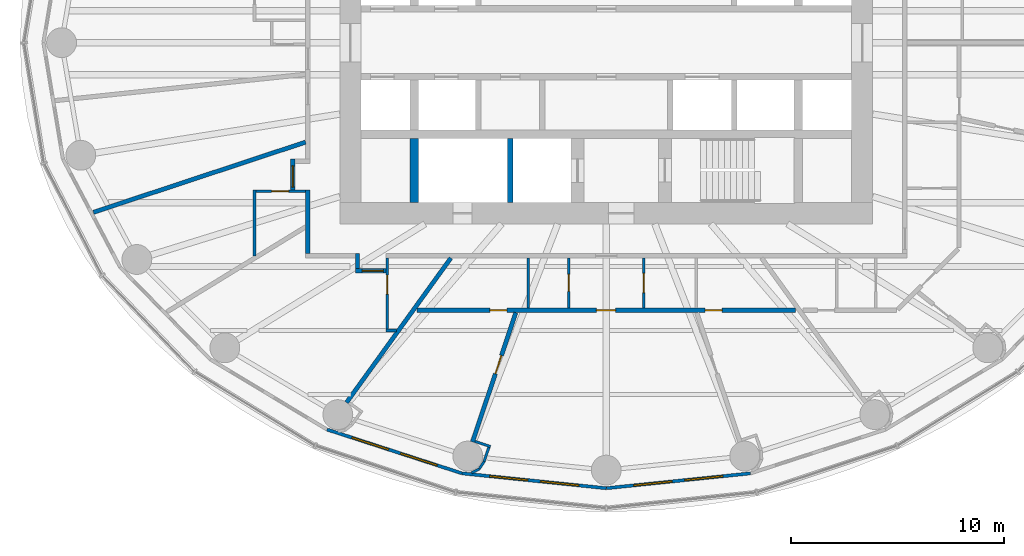
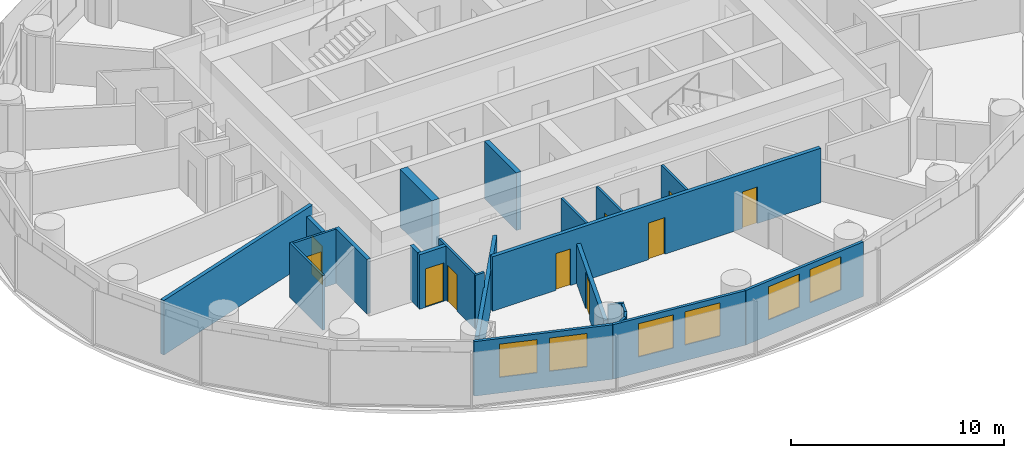
# One storey, part 6 of 14: 24 walls, 10 doors, 6 windows, 16 openings.
"""IFC4 building model written with IfcOpenShell, lengths in metres."""

from ifc_helpers import new_model, si_unit, direction, frame, frame_2d, origin, place, context, subcontext, project, spatial, rectangle, extrude, material, layer, layer_set, type_object, element, fill, save


model = new_model("IFC4")

# Units and contexts
model_context = context("Model", 3, precision=1e-05, world=origin(), true_north=direction((0.0, 1.0)))
body_context = subcontext(model_context, "Body", "Model", "MODEL_VIEW")
ifc_project = project(units=[si_unit("LENGTHUNIT", "METRE"), si_unit("AREAUNIT", "SQUARE_METRE"), si_unit("VOLUMEUNIT", "CUBIC_METRE"), si_unit("PLANEANGLEUNIT", "RADIAN"), si_unit("MASSUNIT", "GRAM", prefix="KILO")], contexts=[model_context])

# Site, building, storey
site_placement = place(None, origin())
site = spatial("IfcSite", under=ifc_project, at=site_placement, CompositionType="ELEMENT")
building_placement = place(site_placement, origin())
building = spatial("IfcBuilding", under=site, at=building_placement, Name="Hankou Lantern Tower", CompositionType="ELEMENT")
storey_placement = place(building_placement, frame((0.0, 0.0, 87.0)))
storey = spatial("IfcBuildingStorey", under=building, at=storey_placement, Name="L22", CompositionType="ELEMENT", Elevation=87.0)

# Wall
ifc_material_1 = material(Name="Concrete C60", Category="concrete")
ifc_layer_1 = layer(ifc_material_1, 0.39990234375)
ifc_layer_set_1 = layer_set([ifc_layer_1], Name="Concrete C60")
wall_type_1 = type_object("IfcWallType", Name="CW4 CORE CROSS WALL 400", PredefinedType="SHEAR", material=ifc_layer_set_1)
wall_1_placement = place(storey_placement, frame((-9.0, -7.5, 0.0), z_axis=(0.0, 0.0, 1.0), x_axis=(0.0, 1.0, 0.0)))
element("IfcWall", 1, at=wall_1_placement, inside=storey, type_object=wall_type_1, Name="Core strip wall L22", PredefinedType="SHEAR", context=body_context, shape_type="SweptSolid", body=[
    extrude(rectangle(XDim=3.0, YDim=0.39990234375, at=frame_2d((1.5, 0.0))), origin(), (0.0, 0.0, 1.0), 3.300048828125),
])

# Wall, openings, windows
ifc_material_2 = material(Name="Aluminium spandrel panel on steel studs", Category="steel")
ifc_layer_2 = layer(ifc_material_2, 0.14990234375)
ifc_layer_set_2 = layer_set([ifc_layer_2], Name="Aluminium spandrel panel on steel studs")
wall_type_2 = type_object("IfcWallType", Name="EW1 INNER SKIN WALL 150", PredefinedType="ELEMENTEDWALL", material=ifc_layer_set_2)
wall_2_placement = place(storey_placement, frame((-13.096435546875, -18.14697265625, 0.0), z_axis=(0.0, 0.0, 1.0), x_axis=(0.951137534625, -0.308767534285, 0.0)))
wall_2 = element("IfcWall", 2, at=wall_2_placement, inside=storey, type_object=wall_type_2, Name="Inner skin R17-R18 L22", PredefinedType="ELEMENTEDWALL", context=body_context, shape_type="SweptSolid", body=[
    extrude(rectangle(XDim=6.6552734375, YDim=0.14990234375, at=frame_2d((3.32763671875, 0.0))), origin(), (0.0, 0.0, 1.0), 3.1201171875),
])
opening_1_placement = place(wall_2_placement, frame((1.2275390625, 0.0, 0.89990234375)))
opening_1 = element("IfcOpeningElement", 3, at=opening_1_placement, cuts=wall_2, Name="Opening W1", PredefinedType="OPENING", context=body_context, shape_type="SweptSolid", body=[
    extrude(rectangle(XDim=1.800048828125, YDim=1.89990234375, at=frame_2d((0.89990234375, 0.949951171875))), frame((0.0, 0.0849609375, 0.0), z_axis=(0.0, -1.0, 0.0), x_axis=(1.0, 0.0, 0.0)), (0.0, 0.0, 1.0), 0.169921875),
])
opening_2_placement = place(wall_2_placement, frame((3.627685546875, 0.0, 0.89990234375)))
opening_2 = element("IfcOpeningElement", 4, at=opening_2_placement, cuts=wall_2, Name="Opening W1", PredefinedType="OPENING", context=body_context, shape_type="SweptSolid", body=[
    extrude(rectangle(XDim=1.800048828125, YDim=1.89990234375, at=frame_2d((0.89990234375, 0.949951171875))), frame((0.0, 0.0849609375, 0.0), z_axis=(0.0, -1.0, 0.0), x_axis=(1.0, 0.0, 0.0)), (0.0, 0.0, 1.0), 0.169921875),
])
ifc_material_3 = material(Name="Aluminium framed double glazed window", Category="aluminium")
window_type = type_object("IfcWindowType", Name="W1 GUEST ROOM WINDOW 1800X1900", PartitioningType="DOUBLE_PANEL_VERTICAL", PredefinedType="WINDOW", material=ifc_material_3)
window_1_placement = place(opening_1_placement, origin())
window_1 = element("IfcWindow", 5, at=window_1_placement, inside=storey, type_object=window_type, Name="Window R17.1 L22", OverallHeight=1.89990234375, OverallWidth=1.800048828125, PartitioningType="SINGLE_PANEL", PredefinedType="WINDOW", context=body_context, shape_type="SweptSolid", body=[
    extrude(rectangle(XDim=1.800048828125, YDim=1.89990234375, at=frame_2d((0.89990234375, 0.949951171875))), frame((0.0, 0.030029296875, 0.0), z_axis=(0.0, -1.0, 0.0), x_axis=(1.0, 0.0, 0.0)), (0.0, 0.0, 1.0), 0.06005859375),
])
fill(opening_1, window_1)
window_2_placement = place(opening_2_placement, origin())
window_2 = element("IfcWindow", 6, at=window_2_placement, inside=storey, type_object=window_type, Name="Window R17.2 L22", OverallHeight=1.89990234375, OverallWidth=1.800048828125, PartitioningType="SINGLE_PANEL", PredefinedType="WINDOW", context=body_context, shape_type="SweptSolid", body=[
    extrude(rectangle(XDim=1.800048828125, YDim=1.89990234375, at=frame_2d((0.89990234375, 0.949951171875))), frame((0.0, 0.030029296875, 0.0), z_axis=(0.0, -1.0, 0.0), x_axis=(1.0, 0.0, 0.0)), (0.0, 0.0, 1.0), 0.06005859375),
])
fill(opening_2, window_2)

wall_3_placement = place(storey_placement, frame((-6.766357421875, -20.201904296875, 0.0), z_axis=(0.0, 0.0, 1.0), x_axis=(0.994721394369, -0.102612609291, 0.0)))
wall_3 = element("IfcWall", 7, at=wall_3_placement, inside=storey, type_object=wall_type_2, Name="Inner skin R18-R19 L22", PredefinedType="ELEMENTEDWALL", context=body_context, shape_type="SweptSolid", body=[
    extrude(rectangle(XDim=6.80224609375, YDim=0.14990234375, at=frame_2d((3.401123046875, 0.0))), origin(), (0.0, 0.0, 1.0), 3.1201171875),
])
opening_3_placement = place(wall_3_placement, frame((1.301025390625, 0.0, 0.89990234375)))
opening_3 = element("IfcOpeningElement", 8, at=opening_3_placement, cuts=wall_3, Name="Opening W1", PredefinedType="OPENING", context=body_context, shape_type="SweptSolid", body=[
    extrude(rectangle(XDim=1.800048828125, YDim=1.89990234375, at=frame_2d((0.89990234375, 0.949951171875))), frame((0.0, 0.0849609375, 0.0), z_axis=(0.0, -1.0, 0.0), x_axis=(1.0, 0.0, 0.0)), (0.0, 0.0, 1.0), 0.169921875),
])
opening_4_placement = place(wall_3_placement, frame((3.701171875, 0.0, 0.89990234375)))
opening_4 = element("IfcOpeningElement", 9, at=opening_4_placement, cuts=wall_3, Name="Opening W1", PredefinedType="OPENING", context=body_context, shape_type="SweptSolid", body=[
    extrude(rectangle(XDim=1.800048828125, YDim=1.89990234375, at=frame_2d((0.89990234375, 0.949951171875))), frame((0.0, 0.0849609375, 0.0), z_axis=(0.0, -1.0, 0.0), x_axis=(1.0, 0.0, 0.0)), (0.0, 0.0, 1.0), 0.169921875),
])
window_3_placement = place(opening_3_placement, origin())
window_3 = element("IfcWindow", 10, at=window_3_placement, inside=storey, type_object=window_type, Name="Window R18.1 L22", OverallHeight=1.89990234375, OverallWidth=1.800048828125, PartitioningType="SINGLE_PANEL", PredefinedType="WINDOW", context=body_context, shape_type="SweptSolid", body=[
    extrude(rectangle(XDim=1.800048828125, YDim=1.89990234375, at=frame_2d((0.89990234375, 0.949951171875))), frame((0.0, 0.030029296875, 0.0), z_axis=(0.0, -1.0, 0.0), x_axis=(1.0, 0.0, 0.0)), (0.0, 0.0, 1.0), 0.06005859375),
])
fill(opening_3, window_3)
window_4_placement = place(opening_4_placement, origin())
window_4 = element("IfcWindow", 11, at=window_4_placement, inside=storey, type_object=window_type, Name="Window R18.2 L22", OverallHeight=1.89990234375, OverallWidth=1.800048828125, PartitioningType="SINGLE_PANEL", PredefinedType="WINDOW", context=body_context, shape_type="SweptSolid", body=[
    extrude(rectangle(XDim=1.800048828125, YDim=1.89990234375, at=frame_2d((0.89990234375, 0.949951171875))), frame((0.0, 0.030029296875, 0.0), z_axis=(0.0, -1.0, 0.0), x_axis=(1.0, 0.0, 0.0)), (0.0, 0.0, 1.0), 0.06005859375),
])
fill(opening_4, window_4)

wall_4_placement = place(storey_placement, frame((0.0, -20.89990234375, 0.0), z_axis=(0.0, 0.0, 1.0), x_axis=(0.994721394369, 0.102612609291, 0.0)))
wall_4 = element("IfcWall", 12, at=wall_4_placement, inside=storey, type_object=wall_type_2, Name="Inner skin R19-R20 L22", PredefinedType="ELEMENTEDWALL", context=body_context, shape_type="SweptSolid", body=[
    extrude(rectangle(XDim=6.80224609375, YDim=0.14990234375, at=frame_2d((3.401123046875, 0.0))), origin(), (0.0, 0.0, 1.0), 3.1201171875),
])
opening_5_placement = place(wall_4_placement, frame((1.301025390625, 0.0, 0.89990234375)))
opening_5 = element("IfcOpeningElement", 13, at=opening_5_placement, cuts=wall_4, Name="Opening W1", PredefinedType="OPENING", context=body_context, shape_type="SweptSolid", body=[
    extrude(rectangle(XDim=1.800048828125, YDim=1.89990234375, at=frame_2d((0.89990234375, 0.949951171875))), frame((0.0, 0.0849609375, 0.0), z_axis=(0.0, -1.0, 0.0), x_axis=(1.0, 0.0, 0.0)), (0.0, 0.0, 1.0), 0.169921875),
])
opening_6_placement = place(wall_4_placement, frame((3.701171875, 0.0, 0.89990234375)))
opening_6 = element("IfcOpeningElement", 14, at=opening_6_placement, cuts=wall_4, Name="Opening W1", PredefinedType="OPENING", context=body_context, shape_type="SweptSolid", body=[
    extrude(rectangle(XDim=1.800048828125, YDim=1.89990234375, at=frame_2d((0.89990234375, 0.949951171875))), frame((0.0, 0.0849609375, 0.0), z_axis=(0.0, -1.0, 0.0), x_axis=(1.0, 0.0, 0.0)), (0.0, 0.0, 1.0), 0.169921875),
])
window_5_placement = place(opening_5_placement, origin())
window_5 = element("IfcWindow", 15, at=window_5_placement, inside=storey, type_object=window_type, Name="Window R19.1 L22", OverallHeight=1.89990234375, OverallWidth=1.800048828125, PartitioningType="SINGLE_PANEL", PredefinedType="WINDOW", context=body_context, shape_type="SweptSolid", body=[
    extrude(rectangle(XDim=1.800048828125, YDim=1.89990234375, at=frame_2d((0.89990234375, 0.949951171875))), frame((0.0, 0.030029296875, 0.0), z_axis=(0.0, -1.0, 0.0), x_axis=(1.0, 0.0, 0.0)), (0.0, 0.0, 1.0), 0.06005859375),
])
fill(opening_5, window_5)
window_6_placement = place(opening_6_placement, origin())
window_6 = element("IfcWindow", 16, at=window_6_placement, inside=storey, type_object=window_type, Name="Window R19.2 L22", OverallHeight=1.89990234375, OverallWidth=1.800048828125, PartitioningType="SINGLE_PANEL", PredefinedType="WINDOW", context=body_context, shape_type="SweptSolid", body=[
    extrude(rectangle(XDim=1.800048828125, YDim=1.89990234375, at=frame_2d((0.89990234375, 0.949951171875))), frame((0.0, 0.030029296875, 0.0), z_axis=(0.0, -1.0, 0.0), x_axis=(1.0, 0.0, 0.0)), (0.0, 0.0, 1.0), 0.06005859375),
])
fill(opening_6, window_6)

# Wall
ifc_material_4 = material(Name="Masonry lightweight concrete block", Category="masonry")
ifc_layer_3 = layer(ifc_material_4, 0.199951171875)
ifc_layer_set_3 = layer_set([ifc_layer_3], Name="Masonry lightweight concrete block")
wall_type_3 = type_object("IfcWallType", Name="IW1 GUEST ROOM PARTY WALL 200", PredefinedType="PARTITIONING", material=ifc_layer_set_3)
wall_5_placement = place(storey_placement, frame((-7.2890625, -10.10009765625, 0.0), z_axis=(0.0, 0.0, 1.0), x_axis=(-0.585198353053, -0.810890182197, 0.0)))
element("IfcWall", 17, at=wall_5_placement, inside=storey, type_object=wall_type_3, Name="Party wall R17", PredefinedType="PARTITIONING", context=body_context, shape_type="SweptSolid", body=[
    extrude(rectangle(XDim=8.359619140625, YDim=0.199951171875, at=frame_2d((4.1796875, 0.0))), origin(), (0.0, 0.0, 1.0), 2.27001953125),
])

# Wall, opening, door
ifc_material_5 = material(Name="Masonry lightweight concrete block", Category="masonry")
ifc_layer_4 = layer(ifc_material_5, 0.199951171875)
ifc_layer_set_4 = layer_set([ifc_layer_4], Name="Masonry lightweight concrete block")
wall_type_4 = type_object("IfcWallType", Name="IW2 CORRIDOR WALL 200", PredefinedType="PARTITIONING", material=ifc_layer_set_4)
wall_6_placement = place(storey_placement, frame((-14.699951171875, -5.458984375, 0.0), z_axis=(0.0, 0.0, 1.0), x_axis=(0.0, -1.0, 0.0)))
wall_6 = element("IfcWall", 18, at=wall_6_placement, inside=storey, type_object=wall_type_4, Name="Corridor recess wall 2204 back", PredefinedType="PARTITIONING", context=body_context, shape_type="SweptSolid", body=[
    extrude(rectangle(XDim=1.43994140625, YDim=0.199951171875, at=frame_2d((0.719970703125, 0.0))), origin(), (0.0, 0.0, 1.0), 3.1201171875),
])
opening_7_placement = place(wall_6_placement, frame((0.320068359375, 0.0, 0.0)))
opening_7 = element("IfcOpeningElement", 19, at=opening_7_placement, cuts=wall_6, Name="Opening D1", PredefinedType="OPENING", context=body_context, shape_type="SweptSolid", body=[
    extrude(rectangle(XDim=1.0, YDim=2.199951171875, at=frame_2d((0.5, 1.10009765625))), frame((0.0, 0.10986328125, 0.0), z_axis=(0.0, -1.0, 0.0), x_axis=(1.0, 0.0, 0.0)), (0.0, 0.0, 1.0), 0.219970703125),
])
ifc_material_6 = material(Name="Steel door leaf", Category="steel")
door_type_1 = type_object("IfcDoorType", Name="D1 GUEST ROOM DOOR 1000X2200", OperationType="SINGLE_SWING_LEFT", PredefinedType="DOOR", material=ifc_material_6)
door_1_placement = place(opening_7_placement, origin())
door_1 = element("IfcDoor", 20, at=door_1_placement, inside=storey, type_object=door_type_1, Name="Guest room door 2204", OperationType="SINGLE_SWING_RIGHT", OverallHeight=2.199951171875, OverallWidth=1.0, PredefinedType="DOOR", context=body_context, shape_type="SweptSolid", body=[
    extrude(rectangle(XDim=1.0, YDim=2.199951171875, at=frame_2d((0.5, 1.10009765625))), frame((0.0, 0.02490234375, 0.0), z_axis=(0.0, -1.0, 0.0), x_axis=(1.0, 0.0, 0.0)), (0.0, 0.0, 1.0), 0.050048828125),
])
fill(opening_7, door_1)

wall_7_placement = place(storey_placement, frame((-10.3291015625, -10.699951171875, 0.0), z_axis=(0.0, 0.0, 1.0), x_axis=(-1.0, 0.0, 0.0)))
wall_7 = element("IfcWall", 21, at=wall_7_placement, inside=storey, type_object=wall_type_4, Name="Corridor recess wall 2205 back", PredefinedType="PARTITIONING", context=body_context, shape_type="SweptSolid", body=[
    extrude(rectangle(XDim=1.43994140625, YDim=0.199951171875, at=frame_2d((0.719970703125, 0.0))), origin(), (0.0, 0.0, 1.0), 3.1201171875),
])
opening_8_placement = place(wall_7_placement, frame((0.1201171875, 0.0, 0.0)))
opening_8 = element("IfcOpeningElement", 22, at=opening_8_placement, cuts=wall_7, Name="Opening D1", PredefinedType="OPENING", context=body_context, shape_type="SweptSolid", body=[
    extrude(rectangle(XDim=1.0, YDim=2.199951171875, at=frame_2d((0.5, 1.10009765625))), frame((0.0, 0.10986328125, 0.0), z_axis=(0.0, -1.0, 0.0), x_axis=(1.0, 0.0, 0.0)), (0.0, 0.0, 1.0), 0.219970703125),
])
door_2_placement = place(opening_8_placement, origin())
door_2 = element("IfcDoor", 23, at=door_2_placement, inside=storey, type_object=door_type_1, Name="Guest room door 2205", OperationType="SINGLE_SWING_LEFT", OverallHeight=2.199951171875, OverallWidth=1.0, PredefinedType="DOOR", context=body_context, shape_type="SweptSolid", body=[
    extrude(rectangle(XDim=1.0, YDim=2.199951171875, at=frame_2d((0.5, 1.10009765625))), frame((0.0, 0.02490234375, 0.0), z_axis=(0.0, -1.0, 0.0), x_axis=(1.0, 0.0, 0.0)), (0.0, 0.0, 1.0), 0.050048828125),
])
fill(opening_8, door_2)

# Walls
wall_8_placement = place(storey_placement, frame((-11.6689453125, -9.89990234375, 0.0), z_axis=(0.0, 0.0, 1.0), x_axis=(0.0, -1.0, 0.0)))
element("IfcWall", 24, at=wall_8_placement, inside=storey, type_object=wall_type_4, Name="Corridor recess wall 2205 side", PredefinedType="PARTITIONING", context=body_context, shape_type="SweptSolid", body=[
    extrude(rectangle(XDim=0.7001953125, YDim=0.199951171875, at=frame_2d((0.35009765625, 0.0))), origin(), (0.0, 0.0, 1.0), 3.1201171875),
])
wall_9_placement = place(storey_placement, frame((-14.0, -6.89892578125, 0.0), z_axis=(0.0, 0.0, 1.0), x_axis=(0.0, -1.0, 0.0)))
element("IfcWall", 25, at=wall_9_placement, inside=storey, type_object=wall_type_4, Name="Corridor wall west", PredefinedType="PARTITIONING", context=body_context, shape_type="SweptSolid", body=[
    extrude(rectangle(XDim=3.0009765625, YDim=0.199951171875, at=frame_2d((1.50048828125, 0.0))), origin(), (0.0, 0.0, 1.0), 3.1201171875),
])
ifc_material_7 = material(Name="Masonry lightweight concrete block", Category="masonry")
ifc_layer_5 = layer(ifc_material_7, 0.1201171875)
ifc_layer_set_5 = layer_set([ifc_layer_5], Name="Masonry lightweight concrete block")
wall_type_5 = type_object("IfcWallType", Name="IW3 BATHROOM WALL 120", PredefinedType="PARTITIONING", material=ifc_layer_set_5)
wall_10_placement = place(storey_placement, frame((-16.5, -10.009521484375, 0.0), z_axis=(0.0, 0.0, 1.0), x_axis=(0.0, 1.0, 0.0)))
element("IfcWall", 26, at=wall_10_placement, inside=storey, type_object=wall_type_5, Name="Box wall 2204 1", PredefinedType="PARTITIONING", context=body_context, shape_type="SweptSolid", body=[
    extrude(rectangle(XDim=3.110595703125, YDim=0.1201171875, at=frame_2d((1.55517578125, 0.0))), origin(), (0.0, 0.0, 1.0), 3.1201171875),
])

# Wall, opening, door
wall_11_placement = place(storey_placement, frame((-14.10009765625, -6.958984375, 0.0), z_axis=(0.0, 0.0, 1.0), x_axis=(-1.0, 0.0, 0.0)))
wall_11 = element("IfcWall", 27, at=wall_11_placement, inside=storey, type_object=wall_type_5, Name="Box wall 2204 1", PredefinedType="PARTITIONING", context=body_context, shape_type="SweptSolid", body=[
    extrude(rectangle(XDim=2.33984375, YDim=0.1201171875, at=frame_2d((1.169921875, 0.0))), origin(), (0.0, 0.0, 1.0), 3.1201171875),
])
opening_9_placement = place(wall_11_placement, frame((0.800048828125, 0.0, 0.0)))
opening_9 = element("IfcOpeningElement", 28, at=opening_9_placement, cuts=wall_11, Name="Opening D3", PredefinedType="OPENING", context=body_context, shape_type="SweptSolid", body=[
    extrude(rectangle(XDim=0.800048828125, YDim=2.10009765625, at=frame_2d((0.39990234375, 1.050048828125))), frame((0.0, 0.070068359375, 0.0), z_axis=(0.0, -1.0, 0.0), x_axis=(1.0, 0.0, 0.0)), (0.0, 0.0, 1.0), 0.14013671875),
])
ifc_material_8 = material(Name="Timber door leaf", Category="wood")
door_type_2 = type_object("IfcDoorType", Name="D3 BATHROOM DOOR 800X2100", OperationType="SINGLE_SWING_LEFT", PredefinedType="DOOR", material=ifc_material_8)
door_3_placement = place(opening_9_placement, origin())
door_3 = element("IfcDoor", 29, at=door_3_placement, inside=storey, type_object=door_type_2, Name="En-suite bathroom 2204 door", OperationType="SINGLE_SWING_RIGHT", OverallHeight=2.10009765625, OverallWidth=0.800048828125, PredefinedType="DOOR", context=body_context, shape_type="SweptSolid", body=[
    extrude(rectangle(XDim=0.800048828125, YDim=2.10009765625, at=frame_2d((0.39990234375, 1.050048828125))), frame((0.0, 0.02490234375, 0.0), z_axis=(0.0, -1.0, 0.0), x_axis=(1.0, 0.0, 0.0)), (0.0, 0.0, 1.0), 0.050048828125),
])
fill(opening_9, door_3)

# Wall
wall_12_placement = place(storey_placement, frame((-9.8427734375, -13.5, 0.0), z_axis=(0.0, 0.0, 1.0), x_axis=(-1.0, 0.0, 0.0)))
element("IfcWall", 30, at=wall_12_placement, inside=storey, type_object=wall_type_5, Name="Box wall 2205 1", PredefinedType="PARTITIONING", context=body_context, shape_type="SweptSolid", body=[
    extrude(rectangle(XDim=0.486328125, YDim=0.1201171875, at=frame_2d((0.2431640625, 0.0))), origin(), (0.0, 0.0, 1.0), 3.1201171875),
])

# Wall, opening, door
wall_13_placement = place(storey_placement, frame((-10.26904296875, -10.10009765625, 0.0), z_axis=(0.0, 0.0, 1.0), x_axis=(0.0, -1.0, 0.0)))
wall_13 = element("IfcWall", 31, at=wall_13_placement, inside=storey, type_object=wall_type_5, Name="Box wall 2205 1", PredefinedType="PARTITIONING", context=body_context, shape_type="SweptSolid", body=[
    extrude(rectangle(XDim=3.33984375, YDim=0.1201171875, at=frame_2d((1.669921875, 0.0))), origin(), (0.0, 0.0, 1.0), 3.1201171875),
])
opening_10_placement = place(wall_13_placement, frame((0.800048828125, 0.0, 0.0)))
opening_10 = element("IfcOpeningElement", 32, at=opening_10_placement, cuts=wall_13, Name="Opening D26", PredefinedType="OPENING", context=body_context, shape_type="SweptSolid", body=[
    extrude(rectangle(XDim=0.89990234375, YDim=2.10009765625, at=frame_2d((0.449951171875, 1.050048828125))), frame((0.0, 0.070068359375, 0.0), z_axis=(0.0, -1.0, 0.0), x_axis=(1.0, 0.0, 0.0)), (0.0, 0.0, 1.0), 0.14013671875),
])
ifc_material_9 = material(Name="Timber door leaf", Category="wood")
door_type_3 = type_object("IfcDoorType", Name="D26 ACCESSIBLE BATHROOM DOOR 900X2100", OperationType="SLIDING_TO_LEFT", PredefinedType="DOOR", material=ifc_material_9)
door_4_placement = place(opening_10_placement, origin())
door_4 = element("IfcDoor", 33, at=door_4_placement, inside=storey, type_object=door_type_3, Name="Accessible bathroom 2205 door", OperationType="SLIDING_TO_LEFT", OverallHeight=2.10009765625, OverallWidth=0.89990234375, PredefinedType="DOOR", context=body_context, shape_type="SweptSolid", body=[
    extrude(rectangle(XDim=0.89990234375, YDim=2.10009765625, at=frame_2d((0.449951171875, 1.050048828125))), frame((0.0, 0.02490234375, 0.0), z_axis=(0.0, -1.0, 0.0), x_axis=(1.0, 0.0, 0.0)), (0.0, 0.0, 1.0), 0.050048828125),
])
fill(opening_10, door_4)

# Wall
wall_14_placement = place(storey_placement, frame((-3.66455078125, -10.10009765625, 0.0), z_axis=(0.0, 0.0, 1.0), x_axis=(0.0, -1.0, 0.0)))
element("IfcWall", 34, at=wall_14_placement, inside=storey, type_object=wall_type_5, Name="Box wall 2206 1", PredefinedType="PARTITIONING", context=body_context, shape_type="SweptSolid", body=[
    extrude(rectangle(XDim=2.349853515625, YDim=0.1201171875, at=frame_2d((1.1748046875, 0.0))), origin(), (0.0, 0.0, 1.0), 3.1201171875),
])

# Wall, opening, door
wall_15_placement = place(storey_placement, frame((-1.75732421875, -10.10009765625, 0.0), z_axis=(0.0, 0.0, 1.0), x_axis=(0.0, -1.0, 0.0)))
wall_15 = element("IfcWall", 35, at=wall_15_placement, inside=storey, type_object=wall_type_5, Name="Box wall 2206 2", PredefinedType="PARTITIONING", context=body_context, shape_type="SweptSolid", body=[
    extrude(rectangle(XDim=2.349853515625, YDim=0.1201171875, at=frame_2d((1.1748046875, 0.0))), origin(), (0.0, 0.0, 1.0), 3.1201171875),
])
opening_11_placement = place(wall_15_placement, frame((0.77001953125, 0.0, 0.0)))
opening_11 = element("IfcOpeningElement", 36, at=opening_11_placement, cuts=wall_15, Name="Opening D3", PredefinedType="OPENING", context=body_context, shape_type="SweptSolid", body=[
    extrude(rectangle(XDim=0.800048828125, YDim=2.10009765625, at=frame_2d((0.39990234375, 1.050048828125))), frame((0.0, 0.070068359375, 0.0), z_axis=(0.0, -1.0, 0.0), x_axis=(1.0, 0.0, 0.0)), (0.0, 0.0, 1.0), 0.14013671875),
])
door_5_placement = place(opening_11_placement, origin())
door_5 = element("IfcDoor", 37, at=door_5_placement, inside=storey, type_object=door_type_2, Name="Family suite 2206 guest WC door", OperationType="SINGLE_SWING_LEFT", OverallHeight=2.10009765625, OverallWidth=0.800048828125, PredefinedType="DOOR", context=body_context, shape_type="SweptSolid", body=[
    extrude(rectangle(XDim=0.800048828125, YDim=2.10009765625, at=frame_2d((0.39990234375, 1.050048828125))), frame((0.0, 0.02490234375, 0.0), z_axis=(0.0, -1.0, 0.0), x_axis=(1.0, 0.0, 0.0)), (0.0, 0.0, 1.0), 0.050048828125),
])
fill(opening_11, door_5)

wall_16_placement = place(storey_placement, frame((1.7626953125, -10.10009765625, 0.0), z_axis=(0.0, 0.0, 1.0), x_axis=(0.0, -1.0, 0.0)))
wall_16 = element("IfcWall", 38, at=wall_16_placement, inside=storey, type_object=wall_type_5, Name="Box wall 2206 3", PredefinedType="PARTITIONING", context=body_context, shape_type="SweptSolid", body=[
    extrude(rectangle(XDim=2.349853515625, YDim=0.1201171875, at=frame_2d((1.1748046875, 0.0))), origin(), (0.0, 0.0, 1.0), 3.1201171875),
])
opening_12_placement = place(wall_16_placement, frame((0.719970703125, 0.0, 0.0)))
opening_12 = element("IfcOpeningElement", 39, at=opening_12_placement, cuts=wall_16, Name="Opening D27", PredefinedType="OPENING", context=body_context, shape_type="SweptSolid", body=[
    extrude(rectangle(XDim=0.89990234375, YDim=2.10009765625, at=frame_2d((0.449951171875, 1.050048828125))), frame((0.0, 0.070068359375, 0.0), z_axis=(0.0, -1.0, 0.0), x_axis=(1.0, 0.0, 0.0)), (0.0, 0.0, 1.0), 0.14013671875),
])
ifc_material_10 = material(Name="Timber door leaf", Category="wood")
door_type_4 = type_object("IfcDoorType", Name="D27 INTERNAL DOOR 900X2100", OperationType="SINGLE_SWING_LEFT", PredefinedType="DOOR", material=ifc_material_10)
door_6_placement = place(opening_12_placement, origin())
door_6 = element("IfcDoor", 40, at=door_6_placement, inside=storey, type_object=door_type_4, Name="Family suite 2206 walk-in wardrobe door", OperationType="SINGLE_SWING_LEFT", OverallHeight=2.10009765625, OverallWidth=0.89990234375, PredefinedType="DOOR", context=body_context, shape_type="SweptSolid", body=[
    extrude(rectangle(XDim=0.89990234375, YDim=2.10009765625, at=frame_2d((0.449951171875, 1.050048828125))), frame((0.0, 0.02490234375, 0.0), z_axis=(0.0, -1.0, 0.0), x_axis=(1.0, 0.0, 0.0)), (0.0, 0.0, 1.0), 0.050048828125),
])
fill(opening_12, door_6)

# Walls
ifc_material_11 = material(Name="Masonry lightweight concrete block", Category="masonry")
ifc_layer_6 = layer(ifc_material_11, 0.1201171875)
ifc_layer_set_6 = layer_set([ifc_layer_6], Name="Masonry lightweight concrete block")
wall_type_6 = type_object("IfcWallType", Name="IW4 PARTITION 120", PredefinedType="PARTITIONING", material=ifc_layer_set_6)
wall_17_placement = place(storey_placement, frame((-6.15869140625, -18.702392578125, 0.0), z_axis=(0.0, 0.0, 1.0), x_axis=(0.948173154049, -0.31775410295, 0.0)))
element("IfcWall", 41, at=wall_17_placement, inside=storey, type_object=wall_type_6, Name="Column casing R18 return", PredefinedType="PARTITIONING", context=body_context, shape_type="SweptSolid", body=[
    extrude(rectangle(XDim=0.767578125, YDim=0.1201171875, at=frame_2d((0.3837890625, 0.0))), origin(), (0.0, 0.0, 1.0), 3.1201171875),
])
wall_18_placement = place(storey_placement, frame((-5.5068359375, -18.984130859375, 0.0), z_axis=(0.0, 0.0, 1.0), x_axis=(-0.317692050622, -0.948193946918, 0.0)))
element("IfcWall", 42, at=wall_18_placement, inside=storey, type_object=wall_type_6, Name="Column casing R18", PredefinedType="PARTITIONING", context=body_context, shape_type="SweptSolid", body=[
    extrude(rectangle(XDim=0.7001953125, YDim=0.1201171875, at=frame_2d((0.35009765625, 0.0))), origin(), (0.0, 0.0, 1.0), 3.1201171875),
])
wall_19_placement = place(storey_placement, frame((-5.729248046875, -19.64794921875, 0.0), z_axis=(0.0, 0.0, 1.0), x_axis=(-0.552135764955, -0.833754218615, 0.0)))
element("IfcWall", 43, at=wall_19_placement, inside=storey, type_object=wall_type_6, Name="Column casing R18", PredefinedType="PARTITIONING", context=body_context, shape_type="SweptSolid", body=[
    extrude(rectangle(XDim=0.41796875, YDim=0.1201171875, at=frame_2d((0.208984375, 0.0))), origin(), (0.0, 0.0, 1.0), 3.1201171875),
])
wall_20_placement = place(storey_placement, frame((-5.9599609375, -19.996337890625, 0.0), z_axis=(0.0, 0.0, 1.0), x_axis=(-0.895160725913, -0.445743507842, 0.0)))
element("IfcWall", 44, at=wall_20_placement, inside=storey, type_object=wall_type_6, Name="Column casing R18", PredefinedType="PARTITIONING", context=body_context, shape_type="SweptSolid", body=[
    extrude(rectangle(XDim=0.398681640625, YDim=0.1201171875, at=frame_2d((0.19921875, 0.0))), origin(), (0.0, 0.0, 1.0), 3.1201171875),
])

# Wall, openings, doors
ifc_material_12 = material(Name="Masonry lightweight concrete block", Category="masonry")
ifc_layer_7 = layer(ifc_material_12, 0.199951171875)
ifc_layer_set_7 = layer_set([ifc_layer_7], Name="Masonry lightweight concrete block")
wall_type_7 = type_object("IfcWallType", Name="IW6 SUITE PARTITION 200", PredefinedType="PARTITIONING", material=ifc_layer_set_7)
wall_21_placement = place(storey_placement, frame((-8.882568359375, -12.550048828125, 0.0), z_axis=(0.0, 0.0, 1.0), x_axis=(1.0, 0.0, 0.0)))
wall_21 = element("IfcWall", 45, at=wall_21_placement, inside=storey, type_object=wall_type_7, Name="Suite foyer wall 2206", PredefinedType="PARTITIONING", context=body_context, shape_type="SweptSolid", body=[
    extrude(rectangle(XDim=17.76513671875, YDim=0.199951171875, at=frame_2d((8.882568359375, 0.0))), origin(), (0.0, 0.0, 1.0), 3.1201171875),
])
opening_13_placement = place(wall_21_placement, frame((3.419921875, 0.0, 0.0)))
opening_13 = element("IfcOpeningElement", 46, at=opening_13_placement, cuts=wall_21, Name="Opening D3", PredefinedType="OPENING", context=body_context, shape_type="SweptSolid", body=[
    extrude(rectangle(XDim=0.800048828125, YDim=2.10009765625, at=frame_2d((0.39990234375, 1.050048828125))), frame((0.0, 0.10986328125, 0.0), z_axis=(0.0, -1.0, 0.0), x_axis=(1.0, 0.0, 0.0)), (0.0, 0.0, 1.0), 0.219970703125),
])
opening_14_placement = place(wall_21_placement, frame((13.52001953125, 0.0, 0.0)))
opening_14 = element("IfcOpeningElement", 47, at=opening_14_placement, cuts=wall_21, Name="Opening D3", PredefinedType="OPENING", context=body_context, shape_type="SweptSolid", body=[
    extrude(rectangle(XDim=0.800048828125, YDim=2.10009765625, at=frame_2d((0.39990234375, 1.050048828125))), frame((0.0, 0.10986328125, 0.0), z_axis=(0.0, -1.0, 0.0), x_axis=(1.0, 0.0, 0.0)), (0.0, 0.0, 1.0), 0.219970703125),
])
opening_15_placement = place(wall_21_placement, frame((8.419921875, 0.0, 0.0)))
opening_15 = element("IfcOpeningElement", 48, at=opening_15_placement, cuts=wall_21, Name="Opening D27", PredefinedType="OPENING", context=body_context, shape_type="SweptSolid", body=[
    extrude(rectangle(XDim=0.89990234375, YDim=2.10009765625, at=frame_2d((0.449951171875, 1.050048828125))), frame((0.0, 0.10986328125, 0.0), z_axis=(0.0, -1.0, 0.0), x_axis=(1.0, 0.0, 0.0)), (0.0, 0.0, 1.0), 0.219970703125),
])
door_7_placement = place(opening_15_placement, origin())
door_7 = element("IfcDoor", 49, at=door_7_placement, inside=storey, type_object=door_type_4, Name="Family suite 2206 living room door", OperationType="SINGLE_SWING_LEFT", OverallHeight=2.10009765625, OverallWidth=0.89990234375, PredefinedType="DOOR", context=body_context, shape_type="SweptSolid", body=[
    extrude(rectangle(XDim=0.89990234375, YDim=2.10009765625, at=frame_2d((0.449951171875, 1.050048828125))), frame((0.0, 0.02490234375, 0.0), z_axis=(0.0, -1.0, 0.0), x_axis=(1.0, 0.0, 0.0)), (0.0, 0.0, 1.0), 0.050048828125),
])
fill(opening_15, door_7)
door_8_placement = place(opening_13_placement, origin())
door_8 = element("IfcDoor", 50, at=door_8_placement, inside=storey, type_object=door_type_2, Name="Family suite 2206 bathroom door", OperationType="SINGLE_SWING_RIGHT", OverallHeight=2.10009765625, OverallWidth=0.800048828125, PredefinedType="DOOR", context=body_context, shape_type="SweptSolid", body=[
    extrude(rectangle(XDim=0.800048828125, YDim=2.10009765625, at=frame_2d((0.39990234375, 1.050048828125))), frame((0.0, 0.02490234375, 0.0), z_axis=(0.0, -1.0, 0.0), x_axis=(1.0, 0.0, 0.0)), (0.0, 0.0, 1.0), 0.050048828125),
])
fill(opening_13, door_8)
door_9_placement = place(opening_14_placement, origin())
door_9 = element("IfcDoor", 51, at=door_9_placement, inside=storey, type_object=door_type_2, Name="Family suite 2206 second bathroom door", OperationType="SINGLE_SWING_LEFT", OverallHeight=2.10009765625, OverallWidth=0.800048828125, PredefinedType="DOOR", context=body_context, shape_type="SweptSolid", body=[
    extrude(rectangle(XDim=0.800048828125, YDim=2.10009765625, at=frame_2d((0.39990234375, 1.050048828125))), frame((0.0, 0.02490234375, 0.0), z_axis=(0.0, -1.0, 0.0), x_axis=(1.0, 0.0, 0.0)), (0.0, 0.0, 1.0), 0.050048828125),
])
fill(opening_14, door_9)

# Wall, opening, door
wall_22_placement = place(storey_placement, frame((-4.24169921875, -12.664306640625, 0.0), z_axis=(0.0, 0.0, 1.0), x_axis=(-0.317590505374, -0.94822796357, 0.0)))
wall_22 = element("IfcWall", 52, at=wall_22_placement, inside=storey, type_object=wall_type_7, Name="Suite partition R18", PredefinedType="PARTITIONING", context=body_context, shape_type="SweptSolid", body=[
    extrude(rectangle(XDim=6.394287109375, YDim=0.199951171875, at=frame_2d((3.197265625, 0.0))), origin(), (0.0, 0.0, 1.0), 2.27001953125),
])
opening_16_placement = place(wall_22_placement, frame((2.1201171875, 0.0, 0.0)))
opening_16 = element("IfcOpeningElement", 53, at=opening_16_placement, cuts=wall_22, Name="Opening D27", PredefinedType="OPENING", context=body_context, shape_type="SweptSolid", body=[
    extrude(rectangle(XDim=0.89990234375, YDim=2.10009765625, at=frame_2d((0.449951171875, 1.050048828125))), frame((0.0, 0.10986328125, 0.0), z_axis=(0.0, -1.0, 0.0), x_axis=(1.0, 0.0, 0.0)), (0.0, 0.0, 1.0), 0.219970703125),
])
door_10_placement = place(opening_16_placement, origin())
door_10 = element("IfcDoor", 54, at=door_10_placement, inside=storey, type_object=door_type_4, Name="Family suite 2206 bedroom door", OperationType="SINGLE_SWING_LEFT", OverallHeight=2.10009765625, OverallWidth=0.89990234375, PredefinedType="DOOR", context=body_context, shape_type="SweptSolid", body=[
    extrude(rectangle(XDim=0.89990234375, YDim=2.10009765625, at=frame_2d((0.449951171875, 1.050048828125))), frame((0.0, 0.02490234375, 0.0), z_axis=(0.0, -1.0, 0.0), x_axis=(1.0, 0.0, 0.0)), (0.0, 0.0, 1.0), 0.050048828125),
])
fill(opening_16, door_10)

# Walls
ifc_material_13 = material(Name="Masonry lightweight concrete block", Category="masonry")
ifc_layer_8 = layer(ifc_material_13, 0.199951171875)
ifc_layer_set_8 = layer_set([ifc_layer_8], Name="Masonry lightweight concrete block")
wall_type_8 = type_object("IfcWallType", Name="IW8 PARTITION 200", PredefinedType="PARTITIONING", material=ifc_layer_set_8)
wall_23_placement = place(storey_placement, frame((-14.10009765625, -4.6630859375, 0.0), z_axis=(0.0, 0.0, 1.0), x_axis=(-0.949432655039, -0.31397075269, 0.0)))
element("IfcWall", 55, at=wall_23_placement, inside=storey, type_object=wall_type_8, Name="Partition R14-R15", PredefinedType="PARTITIONING", context=body_context, shape_type="SweptSolid", body=[
    extrude(rectangle(XDim=10.48583984375, YDim=0.199951171875, at=frame_2d((5.242919921875, 0.0))), origin(), (0.0, 0.0, 1.0), 3.1201171875),
])
ifc_material_14 = material(Name="Masonry autoclaved aerated concrete block", Category="masonry")
ifc_layer_9 = layer(ifc_material_14, 0.25)
ifc_layer_set_9 = layer_set([ifc_layer_9], Name="Masonry autoclaved aerated concrete block")
wall_type_9 = type_object("IfcWallType", Name="SW1 SHAFT BLOCK WALL 250", PredefinedType="PARTITIONING", material=ifc_layer_set_9)
wall_24_placement = place(storey_placement, frame((-4.5, -7.5, 0.0), z_axis=(0.0, 0.0, 1.0), x_axis=(0.0, 1.0, 0.0)))
element("IfcWall", 56, at=wall_24_placement, inside=storey, type_object=wall_type_9, Name="Riser wall L22", PredefinedType="PARTITIONING", context=body_context, shape_type="SweptSolid", body=[
    extrude(rectangle(XDim=3.0, YDim=0.25, at=frame_2d((1.5, 0.0))), origin(), (0.0, 0.0, 1.0), 3.300048828125),
])

save(model, "model.ifc")
